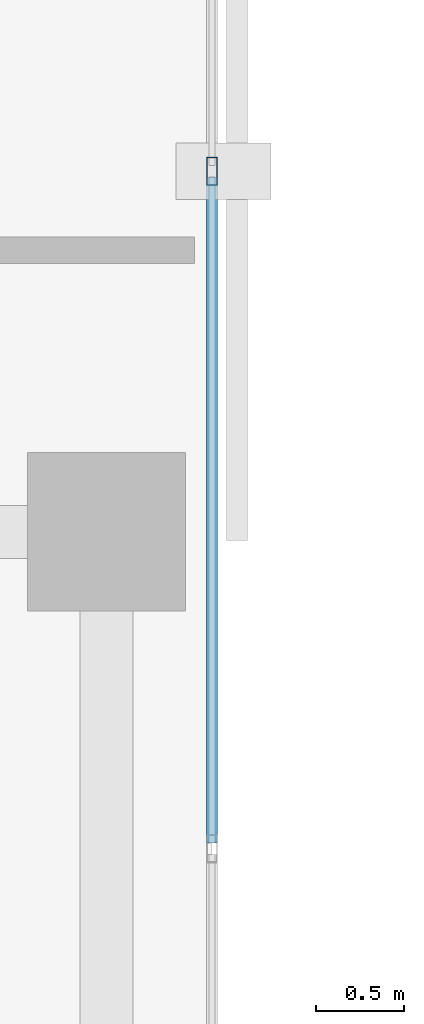
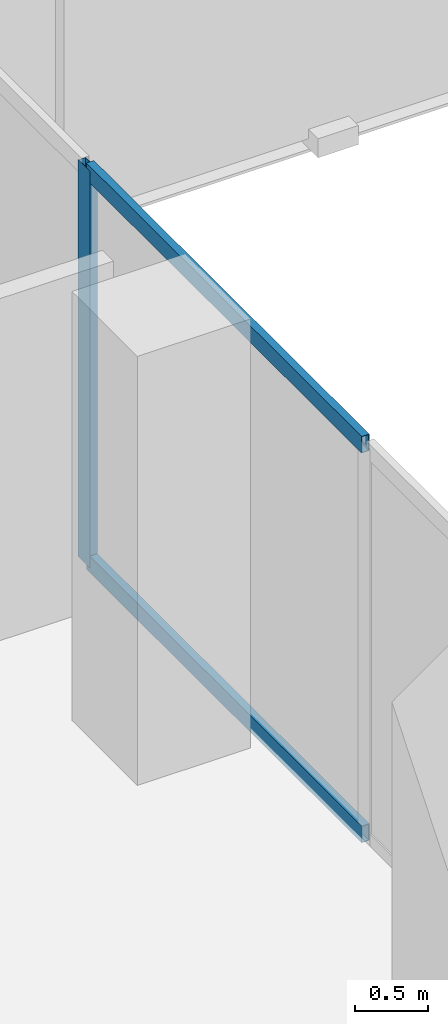
# One storey, part 8 of 33: 3 members, 1 element without a shape of its own.
"""IFC4 building model written with IfcOpenShell, lengths in metres."""

from ifc_helpers import new_model, si_unit, direction, frame, origin, origin_2d, place, context, subcontext, project, spatial, hollow_rectangle, extrude, material, layer, layer_set, material_profile, profile_set, type_object, element, aggregate, save


model = new_model("IFC4")

# Units and contexts
model_context = context("Model", 3, precision=1e-05, world=origin(), true_north=direction((0.0, 1.0)))
body_context = subcontext(model_context, "Body", "Model", "MODEL_VIEW")
ifc_project = project(units=[si_unit("LENGTHUNIT", "METRE"), si_unit("AREAUNIT", "SQUARE_METRE"), si_unit("VOLUMEUNIT", "CUBIC_METRE"), si_unit("PLANEANGLEUNIT", "RADIAN"), si_unit("MASSUNIT", "GRAM", prefix="KILO")], contexts=[model_context])

# Site, building, storey
site_placement = place(None, origin())
site = spatial("IfcSite", under=ifc_project, at=site_placement, CompositionType="ELEMENT")
building_placement = place(site_placement, origin())
building = spatial("IfcBuilding", under=site, at=building_placement, Name="Catumbela Crestline Tower", CompositionType="ELEMENT")
storey_placement = place(building_placement, frame((0.0, 0.0, 100.8)))
storey = spatial("IfcBuildingStorey", under=building, at=storey_placement, Name="L25", CompositionType="ELEMENT", Elevation=100.8)

# Curtain wall, members
ifc_material = material(Name="Aluminium alloy AW-6060-T66", Category="aluminium")
ifc_layer = layer(ifc_material, 0.18, Name="Aluminium alloy AW-6060-T66")
ifc_layer_set = layer_set([ifc_layer], Name="Aluminium alloy AW-6060-T66")
curtain_wall_type = type_object("IfcCurtainWallType", Name="CWU-Z2", PredefinedType="USERDEFINED", material=ifc_layer_set)
curtain_wall_placement = place(storey_placement, origin())
curtain_wall = element("IfcCurtainWall", 1, at=curtain_wall_placement, inside=storey, type_object=curtain_wall_type, Name="L25 Unitised Curtain Wall CW-L25-E2S1", ObjectType="UNITISED", PredefinedType="USERDEFINED")
ifc_material_profile_1 = material_profile(ifc_material, hollow_rectangle(XDim=0.06, YDim=0.16, WallThickness=0.004, at=origin_2d()), Name="ALU 160x60x4")
ifc_profile_set_1 = profile_set([ifc_material_profile_1], Name="Aluminium alloy AW-6060-T66")
member_type_1 = type_object("IfcMemberType", Name="MUL-160X60", PredefinedType="MULLION", material=ifc_profile_set_1)
member_1_placement = place(storey_placement, frame((24.0, 20.05, 0.0), z_axis=(0.0, 0.0, 1.0), x_axis=(-1.0, 0.0, 0.0)))
member_1 = element("IfcMember", 2, at=member_1_placement, type_object=member_type_1, Name="CWU-Z2 mullion 4", PredefinedType="MULLION", context=body_context, shape_type="SweptSolid", body=[
    extrude(hollow_rectangle(XDim=0.06, YDim=0.16, WallThickness=0.004, at=origin_2d()), origin(), (0.0, 0.0, 1.0), 3.33),
])
ifc_material_profile_2 = material_profile(ifc_material, hollow_rectangle(XDim=0.06, YDim=0.14, WallThickness=0.004, at=origin_2d()), Name="ALU 140x60x4")
ifc_profile_set_2 = profile_set([ifc_material_profile_2], Name="Aluminium alloy AW-6060-T66")
member_type_2 = type_object("IfcMemberType", Name="TRN-140X60", PredefinedType="USERDEFINED", material=ifc_profile_set_2)
member_2_placement = place(storey_placement, frame((24.0, 16.2325, 0.03), z_axis=(0.0, 1.0, 0.0), x_axis=(-1.0, 0.0, 0.0)))
member_2 = element("IfcMember", 3, at=member_2_placement, type_object=member_type_2, Name="CWU-Z2 transom 3.1", ObjectType="TRANSOM", PredefinedType="USERDEFINED", context=body_context, shape_type="SweptSolid", body=[
    extrude(hollow_rectangle(XDim=0.06, YDim=0.14, WallThickness=0.004, at=origin_2d()), origin(), (0.0, 0.0, 1.0), 3.785),
])
member_3_placement = place(storey_placement, frame((24.0, 16.2325, 3.3), z_axis=(0.0, 1.0, 0.0), x_axis=(-1.0, 0.0, 0.0)))
member_3 = element("IfcMember", 4, at=member_3_placement, type_object=member_type_2, Name="CWU-Z2 transom 3.2", ObjectType="TRANSOM", PredefinedType="USERDEFINED", context=body_context, shape_type="SweptSolid", body=[
    extrude(hollow_rectangle(XDim=0.06, YDim=0.14, WallThickness=0.004, at=origin_2d()), origin(), (0.0, 0.0, 1.0), 3.785),
])
aggregate(curtain_wall, [member_1, member_2, member_3])

save(model, "model.ifc")
